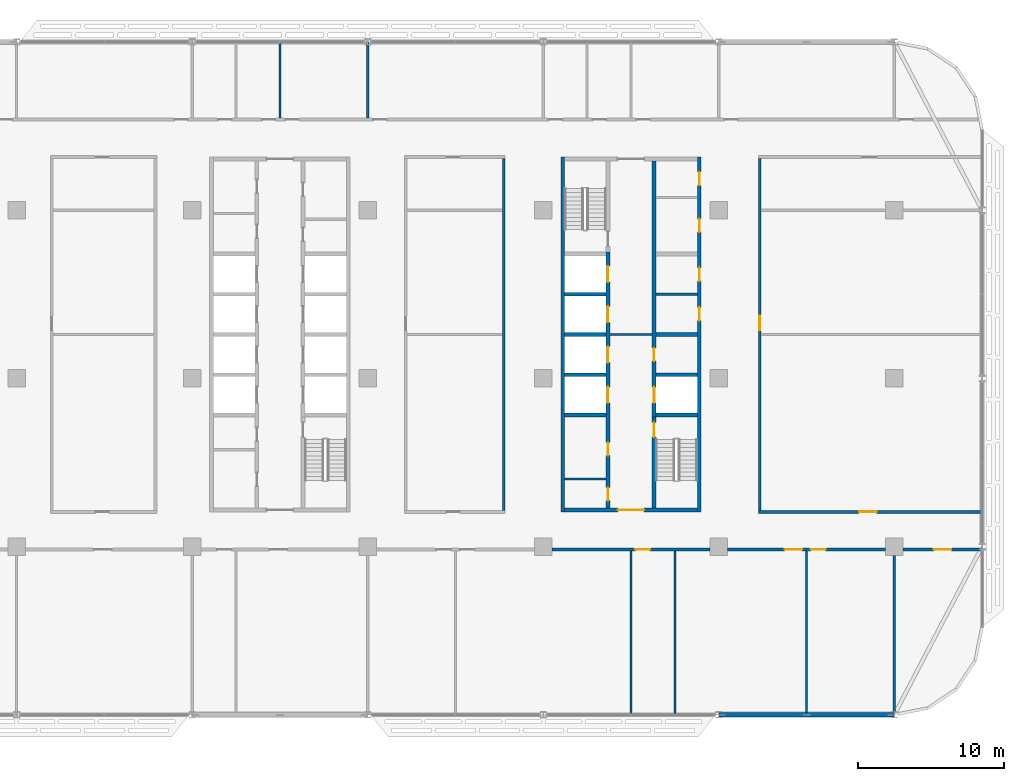
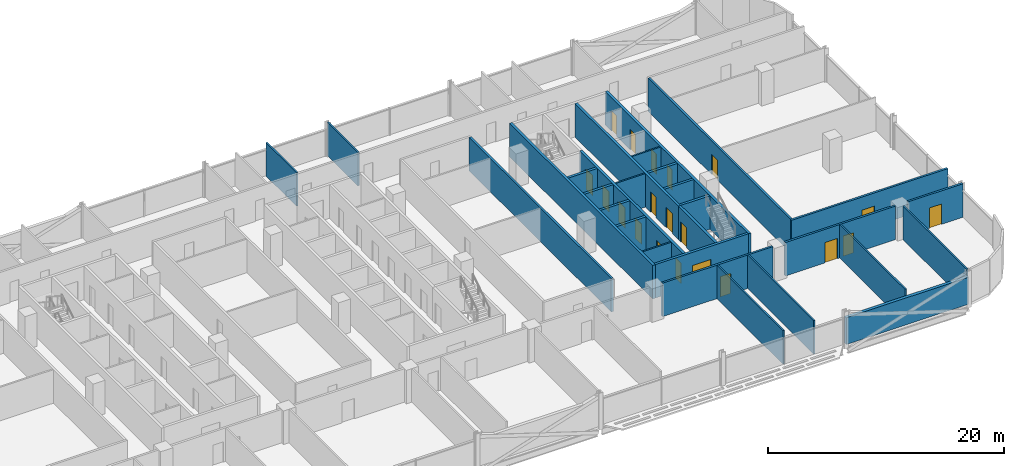
# One storey, part 15 of 27: 29 walls, 20 doors, 20 openings.
"""IFC4 building model written with IfcOpenShell, lengths in metres."""

from ifc_helpers import new_model, si_unit, direction, frame, frame_2d, origin, place, context, subcontext, project, spatial, rectangle, extrude, material, layer, layer_set, type_object, element, fill, save


model = new_model("IFC4")

# Units and contexts
model_context = context("Model", 3, precision=1e-05, world=origin(), true_north=direction((0.0, 1.0)))
body_context = subcontext(model_context, "Body", "Model", "MODEL_VIEW")
ifc_project = project(units=[si_unit("LENGTHUNIT", "METRE"), si_unit("AREAUNIT", "SQUARE_METRE"), si_unit("VOLUMEUNIT", "CUBIC_METRE"), si_unit("PLANEANGLEUNIT", "RADIAN"), si_unit("MASSUNIT", "GRAM", prefix="KILO")], contexts=[model_context])

# Site, building, storey
site_placement = place(None, origin())
site = spatial("IfcSite", under=ifc_project, at=site_placement, CompositionType="ELEMENT")
building_placement = place(site_placement, origin())
building = spatial("IfcBuilding", under=site, at=building_placement, Name="Mahtab Terrace Research Tower", CompositionType="ELEMENT")
storey_placement = place(building_placement, frame((0.0, 0.0, 170.60009765625)))
storey = spatial("IfcBuildingStorey", under=building, at=storey_placement, Name="L40", CompositionType="ELEMENT", Elevation=170.60009765625)

# Walls
ifc_material_1 = material(Name="Gypsum board partition")
ifc_layer_1 = layer(ifc_material_1, 0.14990234375)
ifc_layer_set_1 = layer_set([ifc_layer_1], Name="Core partition 150")
wall_type_1 = type_object("IfcWallType", Name="Core partition 150", PredefinedType="PARTITIONING", material=ifc_layer_set_1)
wall_1_placement = place(storey_placement, frame((22.550048828125, 3.0, 0.0), z_axis=(0.0, 0.0, 1.0), x_axis=(1.0, 0.0, 0.0)))
element("IfcWall", 1, at=wall_1_placement, inside=storey, type_object=wall_type_1, Name="Core wall C ffl", PredefinedType="PARTITIONING", context=body_context, shape_type="SweptSolid", body=[
    extrude(rectangle(XDim=2.89990234375, YDim=0.14990234375, at=frame_2d((1.449951171875, 0.0))), origin(), (0.0, 0.0, 1.0), 3.4599609375),
])
for number, where, z_axis, x_axis, name in (
    (2, (25.699951171875, 5.75, 0.0), (0.0, 0.0, 1.0), (1.0, 0.0, 0.0), "Core wall C pEL275"),
    (3, (19.449951171875, -6.875, 0.0), (0.0, 0.0, 1.0), (1.0, 0.0, 0.0), "Core wall C pWS-988"),
):
    element("IfcWall", number, at=place(storey_placement, frame(where, z_axis=z_axis, x_axis=x_axis)), inside=storey, type_object=wall_type_1, Name=name, PredefinedType="PARTITIONING", context=body_context, shape_type="SweptSolid", body=[
        extrude(rectangle(XDim=2.85009765625, YDim=0.14990234375, at=frame_2d((1.425048828125, 0.0))), origin(), (0.0, 0.0, 1.0), 3.4599609375),
    ])
ifc_material_2 = material(Name="Concrete C70/85", Category="concrete")
ifc_layer_2 = layer(ifc_material_2, 0.25)
ifc_layer_set_2 = layer_set([ifc_layer_2], Name="Core wall 250")
wall_type_2 = type_object("IfcWallType", Name="Core wall 250", PredefinedType="SOLIDWALL", material=ifc_layer_set_2)
wall_2_placement = place(storey_placement, frame((19.324951171875, 15.125, 0.0), z_axis=(0.0, 0.0, 1.0), x_axis=(0.0, -1.0, 0.0)))
element("IfcWall", 4, at=wall_2_placement, inside=storey, type_object=wall_type_2, Name="Core wall C outerW", PredefinedType="SOLIDWALL", context=body_context, shape_type="SweptSolid", body=[
    extrude(rectangle(XDim=24.25, YDim=0.25, at=frame_2d((12.125, 0.0))), origin(), (0.0, 0.0, 1.0), 3.4599609375),
])

# Wall, openings, doors
wall_3_placement = place(storey_placement, frame((28.675048828125, -9.125, 0.0), z_axis=(0.0, 0.0, 1.0), x_axis=(0.0, 1.0, 0.0)))
wall_3 = element("IfcWall", 5, at=wall_3_placement, inside=storey, type_object=wall_type_2, Name="Core wall C outerE", PredefinedType="SOLIDWALL", context=body_context, shape_type="SweptSolid", body=[
    extrude(rectangle(XDim=24.25, YDim=0.25, at=frame_2d((12.125, 0.0))), origin(), (0.0, 0.0, 1.0), 3.4599609375),
])
opening_1_placement = place(wall_3_placement, frame((13.074951171875, 0.0, 0.0)))
opening_1 = element("IfcOpeningElement", 6, at=opening_1_placement, cuts=wall_3, Name="Opening C-R2", PredefinedType="OPENING", context=body_context, shape_type="SweptSolid", body=[
    extrude(rectangle(XDim=0.89990234375, YDim=2.10009765625, at=frame_2d((0.449951171875, 1.050048828125))), frame((0.0, 0.135009765625, 0.0), z_axis=(0.0, -1.0, 0.0), x_axis=(1.0, 0.0, 0.0)), (0.0, 0.0, 1.0), 0.27001953125),
])
opening_2_placement = place(wall_3_placement, frame((15.77490234375, 0.0, 0.0)))
opening_2 = element("IfcOpeningElement", 7, at=opening_2_placement, cuts=wall_3, Name="Opening C-R3", PredefinedType="OPENING", context=body_context, shape_type="SweptSolid", body=[
    extrude(rectangle(XDim=0.89990234375, YDim=2.10009765625, at=frame_2d((0.449951171875, 1.050048828125))), frame((0.0, 0.135009765625, 0.0), z_axis=(0.0, -1.0, 0.0), x_axis=(1.0, 0.0, 0.0)), (0.0, 0.0, 1.0), 0.27001953125),
])
opening_3_placement = place(wall_3_placement, frame((19.125, 0.0, 0.0)))
opening_3 = element("IfcOpeningElement", 8, at=opening_3_placement, cuts=wall_3, Name="Opening C-R6", PredefinedType="OPENING", context=body_context, shape_type="SweptSolid", body=[
    extrude(rectangle(XDim=0.89990234375, YDim=2.10009765625, at=frame_2d((0.449951171875, 1.050048828125))), frame((0.0, 0.135009765625, 0.0), z_axis=(0.0, -1.0, 0.0), x_axis=(1.0, 0.0, 0.0)), (0.0, 0.0, 1.0), 0.27001953125),
])
opening_4_placement = place(wall_3_placement, frame((22.327392578125, 0.0, 0.0)))
opening_4 = element("IfcOpeningElement", 9, at=opening_4_placement, cuts=wall_3, Name="Opening C-R7", PredefinedType="OPENING", context=body_context, shape_type="SweptSolid", body=[
    extrude(rectangle(XDim=0.89990234375, YDim=2.10009765625, at=frame_2d((0.449951171875, 1.050048828125))), frame((0.0, 0.135009765625, 0.0), z_axis=(0.0, -1.0, 0.0), x_axis=(1.0, 0.0, 0.0)), (0.0, 0.0, 1.0), 0.27001953125),
])
ifc_material_3 = material(Name="Steel fire door", Category="steel")
door_type_1 = type_object("IfcDoorType", Name="Room door 900x2100 1 HR", OperationType="NOTDEFINED", PredefinedType="DOOR", material=ifc_material_3)
door_1_placement = place(opening_1_placement, origin())
door_1 = element("IfcDoor", 10, at=door_1_placement, inside=storey, type_object=door_type_1, Name="Document store door", OperationType="SINGLE_SWING_RIGHT", OverallHeight=2.10009765625, OverallWidth=0.89990234375, PredefinedType="DOOR", context=body_context, shape_type="SweptSolid", body=[
    extrude(rectangle(XDim=0.89990234375, YDim=2.10009765625, at=frame_2d((0.449951171875, 1.050048828125))), frame((0.0, 0.02490234375, 0.0), z_axis=(0.0, -1.0, 0.0), x_axis=(1.0, 0.0, 0.0)), (0.0, 0.0, 1.0), 0.050048828125),
])
fill(opening_1, door_1)
door_2_placement = place(opening_2_placement, origin())
door_2 = element("IfcDoor", 11, at=door_2_placement, inside=storey, type_object=door_type_1, Name="IT equipment room door", OperationType="SINGLE_SWING_LEFT", OverallHeight=2.10009765625, OverallWidth=0.89990234375, PredefinedType="DOOR", context=body_context, shape_type="SweptSolid", body=[
    extrude(rectangle(XDim=0.89990234375, YDim=2.10009765625, at=frame_2d((0.449951171875, 1.050048828125))), frame((0.0, 0.02490234375, 0.0), z_axis=(0.0, -1.0, 0.0), x_axis=(1.0, 0.0, 0.0)), (0.0, 0.0, 1.0), 0.050048828125),
])
fill(opening_2, door_2)
door_3_placement = place(opening_3_placement, origin())
door_3 = element("IfcDoor", 12, at=door_3_placement, inside=storey, type_object=door_type_1, Name="Pantry door", OperationType="SINGLE_SWING_RIGHT", OverallHeight=2.10009765625, OverallWidth=0.89990234375, PredefinedType="DOOR", context=body_context, shape_type="SweptSolid", body=[
    extrude(rectangle(XDim=0.89990234375, YDim=2.10009765625, at=frame_2d((0.449951171875, 1.050048828125))), frame((0.0, 0.02490234375, 0.0), z_axis=(0.0, -1.0, 0.0), x_axis=(1.0, 0.0, 0.0)), (0.0, 0.0, 1.0), 0.050048828125),
])
fill(opening_3, door_3)
door_4_placement = place(opening_4_placement, origin())
door_4 = element("IfcDoor", 13, at=door_4_placement, inside=storey, type_object=door_type_1, Name="Linen store door", OperationType="SINGLE_SWING_LEFT", OverallHeight=2.10009765625, OverallWidth=0.89990234375, PredefinedType="DOOR", context=body_context, shape_type="SweptSolid", body=[
    extrude(rectangle(XDim=0.89990234375, YDim=2.10009765625, at=frame_2d((0.449951171875, 1.050048828125))), frame((0.0, 0.02490234375, 0.0), z_axis=(0.0, -1.0, 0.0), x_axis=(1.0, 0.0, 0.0)), (0.0, 0.0, 1.0), 0.050048828125),
])
fill(opening_4, door_4)

# Wall, opening, door
wall_4_placement = place(storey_placement, frame((28.550048828125, -9.0, 0.0), z_axis=(0.0, 0.0, 1.0), x_axis=(-1.0, 0.0, 0.0)))
wall_4 = element("IfcWall", 14, at=wall_4_placement, inside=storey, type_object=wall_type_2, Name="Core wall C endS", PredefinedType="SOLIDWALL", context=body_context, shape_type="SweptSolid", body=[
    extrude(rectangle(XDim=9.10009765625, YDim=0.25, at=frame_2d((4.550048828125, 0.0))), origin(), (0.0, 0.0, 1.0), 3.4599609375),
])
opening_5_placement = place(wall_4_placement, frame((3.64990234375, 0.0, 0.0)))
opening_5 = element("IfcOpeningElement", 15, at=opening_5_placement, cuts=wall_4, Name="Opening C-S1", PredefinedType="OPENING", context=body_context, shape_type="SweptSolid", body=[
    extrude(rectangle(XDim=1.800048828125, YDim=2.10009765625, at=frame_2d((0.89990234375, 1.050048828125))), frame((0.0, 0.135009765625, 0.0), z_axis=(0.0, -1.0, 0.0), x_axis=(1.0, 0.0, 0.0)), (0.0, 0.0, 1.0), 0.27001953125),
])
door_type_2 = type_object("IfcDoorType", Name="Lobby double door 1800x2100 1 HR", OperationType="DOUBLE_DOOR_SINGLE_SWING", PredefinedType="DOOR", material=ifc_material_3)
door_5_placement = place(opening_5_placement, origin())
door_5 = element("IfcDoor", 16, at=door_5_placement, inside=storey, type_object=door_type_2, Name="Core entrance door C S", OperationType="DOUBLE_DOOR_SINGLE_SWING", OverallHeight=2.10009765625, OverallWidth=1.800048828125, PredefinedType="DOOR", context=body_context, shape_type="SweptSolid", body=[
    extrude(rectangle(XDim=1.800048828125, YDim=2.10009765625, at=frame_2d((0.89990234375, 1.050048828125))), frame((0.0, 0.02490234375, 0.0), z_axis=(0.0, -1.0, 0.0), x_axis=(1.0, 0.0, 0.0)), (0.0, 0.0, 1.0), 0.050048828125),
])
fill(opening_5, door_5)

# Wall, openings, doors
wall_5_placement = place(storey_placement, frame((22.425048828125, -8.875, 0.0), z_axis=(0.0, 0.0, 1.0), x_axis=(0.0, 1.0, 0.0)))
wall_5 = element("IfcWall", 17, at=wall_5_placement, inside=storey, type_object=wall_type_2, Name="Core wall C innerWSL", PredefinedType="SOLIDWALL", context=body_context, shape_type="SweptSolid", body=[
    extrude(rectangle(XDim=17.5, YDim=0.25, at=frame_2d((8.75, 0.0))), origin(), (0.0, 0.0, 1.0), 3.4599609375),
])
opening_6_placement = place(wall_5_placement, frame((7.199951171875, 0.0, 0.0)))
opening_6 = element("IfcOpeningElement", 18, at=opening_6_placement, cuts=wall_5, Name="Opening LD17-L40", PredefinedType="OPENING", context=body_context, shape_type="SweptSolid", body=[
    extrude(rectangle(XDim=1.10009765625, YDim=2.10009765625, at=frame_2d((0.550048828125, 1.050048828125))), frame((0.0, 0.135009765625, 0.0), z_axis=(0.0, -1.0, 0.0), x_axis=(1.0, 0.0, 0.0)), (0.0, 0.0, 1.0), 0.27001953125),
])
opening_7_placement = place(wall_5_placement, frame((9.949951171875, 0.0, 0.0)))
opening_7 = element("IfcOpeningElement", 19, at=opening_7_placement, cuts=wall_5, Name="Opening LD18-L40", PredefinedType="OPENING", context=body_context, shape_type="SweptSolid", body=[
    extrude(rectangle(XDim=1.10009765625, YDim=2.10009765625, at=frame_2d((0.550048828125, 1.050048828125))), frame((0.0, 0.135009765625, 0.0), z_axis=(0.0, -1.0, 0.0), x_axis=(1.0, 0.0, 0.0)), (0.0, 0.0, 1.0), 0.27001953125),
])
opening_8_placement = place(wall_5_placement, frame((12.699951171875, 0.0, 0.0)))
opening_8 = element("IfcOpeningElement", 20, at=opening_8_placement, cuts=wall_5, Name="Opening LD19-L40", PredefinedType="OPENING", context=body_context, shape_type="SweptSolid", body=[
    extrude(rectangle(XDim=1.10009765625, YDim=2.10009765625, at=frame_2d((0.550048828125, 1.050048828125))), frame((0.0, 0.135009765625, 0.0), z_axis=(0.0, -1.0, 0.0), x_axis=(1.0, 0.0, 0.0)), (0.0, 0.0, 1.0), 0.27001953125),
])
opening_9_placement = place(wall_5_placement, frame((15.449951171875, 0.0, 0.0)))
opening_9 = element("IfcOpeningElement", 21, at=opening_9_placement, cuts=wall_5, Name="Opening LD20-L40", PredefinedType="OPENING", context=body_context, shape_type="SweptSolid", body=[
    extrude(rectangle(XDim=1.10009765625, YDim=2.10009765625, at=frame_2d((0.550048828125, 1.050048828125))), frame((0.0, 0.135009765625, 0.0), z_axis=(0.0, -1.0, 0.0), x_axis=(1.0, 0.0, 0.0)), (0.0, 0.0, 1.0), 0.27001953125),
])
opening_10_placement = place(wall_5_placement, frame((0.512451171875, 0.0, 0.0)))
opening_10 = element("IfcOpeningElement", 22, at=opening_10_placement, cuts=wall_5, Name="Opening C-R4", PredefinedType="OPENING", context=body_context, shape_type="SweptSolid", body=[
    extrude(rectangle(XDim=0.89990234375, YDim=2.10009765625, at=frame_2d((0.449951171875, 1.050048828125))), frame((0.0, 0.135009765625, 0.0), z_axis=(0.0, -1.0, 0.0), x_axis=(1.0, 0.0, 0.0)), (0.0, 0.0, 1.0), 0.27001953125),
])
opening_11_placement = place(wall_5_placement, frame((3.58740234375, 0.0, 0.0)))
opening_11 = element("IfcOpeningElement", 23, at=opening_11_placement, cuts=wall_5, Name="Opening C-R5", PredefinedType="OPENING", context=body_context, shape_type="SweptSolid", body=[
    extrude(rectangle(XDim=0.89990234375, YDim=2.10009765625, at=frame_2d((0.449951171875, 1.050048828125))), frame((0.0, 0.135009765625, 0.0), z_axis=(0.0, -1.0, 0.0), x_axis=(1.0, 0.0, 0.0)), (0.0, 0.0, 1.0), 0.27001953125),
])
ifc_material_4 = material(Name="Stainless steel AISI 304", Category="steel")
door_type_3 = type_object("IfcDoorType", Name="Landing door 1100x2100", OperationType="DOUBLE_DOOR_SLIDING", PredefinedType="DOOR", material=ifc_material_4)
door_6_placement = place(opening_6_placement, origin())
door_6 = element("IfcDoor", 24, at=door_6_placement, inside=storey, type_object=door_type_3, Name="Landing door SV1 L40", OperationType="DOUBLE_DOOR_SLIDING", OverallHeight=2.10009765625, OverallWidth=1.10009765625, PredefinedType="DOOR", context=body_context, shape_type="SweptSolid", body=[
    extrude(rectangle(XDim=1.10009765625, YDim=2.10009765625, at=frame_2d((0.550048828125, 1.050048828125))), frame((0.0, 0.02490234375, 0.0), z_axis=(0.0, -1.0, 0.0), x_axis=(1.0, 0.0, 0.0)), (0.0, 0.0, 1.0), 0.050048828125),
])
fill(opening_6, door_6)
door_7_placement = place(opening_7_placement, origin())
door_7 = element("IfcDoor", 25, at=door_7_placement, inside=storey, type_object=door_type_3, Name="Landing door SV2 L40", OperationType="DOUBLE_DOOR_SLIDING", OverallHeight=2.10009765625, OverallWidth=1.10009765625, PredefinedType="DOOR", context=body_context, shape_type="SweptSolid", body=[
    extrude(rectangle(XDim=1.10009765625, YDim=2.10009765625, at=frame_2d((0.550048828125, 1.050048828125))), frame((0.0, 0.02490234375, 0.0), z_axis=(0.0, -1.0, 0.0), x_axis=(1.0, 0.0, 0.0)), (0.0, 0.0, 1.0), 0.050048828125),
])
fill(opening_7, door_7)
door_8_placement = place(opening_8_placement, origin())
door_8 = element("IfcDoor", 26, at=door_8_placement, inside=storey, type_object=door_type_3, Name="Landing door FF1 L40", OperationType="DOUBLE_DOOR_SLIDING", OverallHeight=2.10009765625, OverallWidth=1.10009765625, PredefinedType="DOOR", context=body_context, shape_type="SweptSolid", body=[
    extrude(rectangle(XDim=1.10009765625, YDim=2.10009765625, at=frame_2d((0.550048828125, 1.050048828125))), frame((0.0, 0.02490234375, 0.0), z_axis=(0.0, -1.0, 0.0), x_axis=(1.0, 0.0, 0.0)), (0.0, 0.0, 1.0), 0.050048828125),
])
fill(opening_8, door_8)
door_9_placement = place(opening_9_placement, origin())
door_9 = element("IfcDoor", 27, at=door_9_placement, inside=storey, type_object=door_type_3, Name="Landing door FF2 L40", OperationType="DOUBLE_DOOR_SLIDING", OverallHeight=2.10009765625, OverallWidth=1.10009765625, PredefinedType="DOOR", context=body_context, shape_type="SweptSolid", body=[
    extrude(rectangle(XDim=1.10009765625, YDim=2.10009765625, at=frame_2d((0.550048828125, 1.050048828125))), frame((0.0, 0.02490234375, 0.0), z_axis=(0.0, -1.0, 0.0), x_axis=(1.0, 0.0, 0.0)), (0.0, 0.0, 1.0), 0.050048828125),
])
fill(opening_9, door_9)
door_10_placement = place(opening_10_placement, origin())
door_10 = element("IfcDoor", 28, at=door_10_placement, inside=storey, type_object=door_type_1, Name="Accessible WC door", OperationType="SINGLE_SWING_RIGHT", OverallHeight=2.10009765625, OverallWidth=0.89990234375, PredefinedType="DOOR", context=body_context, shape_type="SweptSolid", body=[
    extrude(rectangle(XDim=0.89990234375, YDim=2.10009765625, at=frame_2d((0.449951171875, 1.050048828125))), frame((0.0, 0.02490234375, 0.0), z_axis=(0.0, -1.0, 0.0), x_axis=(1.0, 0.0, 0.0)), (0.0, 0.0, 1.0), 0.050048828125),
])
fill(opening_10, door_10)
door_11_placement = place(opening_11_placement, origin())
door_11 = element("IfcDoor", 29, at=door_11_placement, inside=storey, type_object=door_type_1, Name="WC block door", OperationType="SINGLE_SWING_LEFT", OverallHeight=2.10009765625, OverallWidth=0.89990234375, PredefinedType="DOOR", context=body_context, shape_type="SweptSolid", body=[
    extrude(rectangle(XDim=0.89990234375, YDim=2.10009765625, at=frame_2d((0.449951171875, 1.050048828125))), frame((0.0, 0.02490234375, 0.0), z_axis=(0.0, -1.0, 0.0), x_axis=(1.0, 0.0, 0.0)), (0.0, 0.0, 1.0), 0.050048828125),
])
fill(opening_11, door_11)

# Wall, opening, door
wall_6_placement = place(storey_placement, frame((25.574951171875, -8.875, 0.0), z_axis=(0.0, 0.0, 1.0), x_axis=(0.0, 1.0, 0.0)))
wall_6 = element("IfcWall", 30, at=wall_6_placement, inside=storey, type_object=wall_type_2, Name="Core wall C innerES", PredefinedType="SOLIDWALL", context=body_context, shape_type="SweptSolid", body=[
    extrude(rectangle(XDim=6.25, YDim=0.25, at=frame_2d((3.125, 0.0))), origin(), (0.0, 0.0, 1.0), 3.4599609375),
])
opening_12_placement = place(wall_6_placement, frame((4.85009765625, 0.0, 0.0)))
opening_12 = element("IfcOpeningElement", 31, at=opening_12_placement, cuts=wall_6, Name="Opening C-ST4", PredefinedType="OPENING", context=body_context, shape_type="SweptSolid", body=[
    extrude(rectangle(XDim=1.0, YDim=2.10009765625, at=frame_2d((0.5, 1.050048828125))), frame((0.0, 0.135009765625, 0.0), z_axis=(0.0, -1.0, 0.0), x_axis=(1.0, 0.0, 0.0)), (0.0, 0.0, 1.0), 0.27001953125),
])
door_type_4 = type_object("IfcDoorType", Name="Stair door 1000x2100 1.5 HR", OperationType="NOTDEFINED", PredefinedType="DOOR", material=ifc_material_3)
door_12_placement = place(opening_12_placement, origin())
door_12 = element("IfcDoor", 32, at=door_12_placement, inside=storey, type_object=door_type_4, Name="Stair door ST4 L40", OperationType="SINGLE_SWING_LEFT", OverallHeight=2.10009765625, OverallWidth=1.0, PredefinedType="DOOR", context=body_context, shape_type="SweptSolid", body=[
    extrude(rectangle(XDim=1.0, YDim=2.10009765625, at=frame_2d((0.5, 1.050048828125))), frame((0.0, 0.02490234375, 0.0), z_axis=(0.0, -1.0, 0.0), x_axis=(1.0, 0.0, 0.0)), (0.0, 0.0, 1.0), 0.050048828125),
])
fill(opening_12, door_12)

# Wall, openings, doors
wall_7_placement = place(storey_placement, frame((25.574951171875, 14.875, 0.0), z_axis=(0.0, 0.0, 1.0), x_axis=(0.0, -1.0, 0.0)))
wall_7 = element("IfcWall", 33, at=wall_7_placement, inside=storey, type_object=wall_type_2, Name="Core wall C innerELN", PredefinedType="SOLIDWALL", context=body_context, shape_type="SweptSolid", body=[
    extrude(rectangle(XDim=17.5, YDim=0.25, at=frame_2d((8.75, 0.0))), origin(), (0.0, 0.0, 1.0), 3.4599609375),
])
opening_13_placement = place(wall_7_placement, frame((15.449951171875, 0.0, 0.0)))
opening_13 = element("IfcOpeningElement", 34, at=opening_13_placement, cuts=wall_7, Name="Opening LD21-L40", PredefinedType="OPENING", context=body_context, shape_type="SweptSolid", body=[
    extrude(rectangle(XDim=1.10009765625, YDim=2.10009765625, at=frame_2d((0.550048828125, 1.050048828125))), frame((0.0, 0.135009765625, 0.0), z_axis=(0.0, -1.0, 0.0), x_axis=(1.0, 0.0, 0.0)), (0.0, 0.0, 1.0), 0.27001953125),
])
opening_14_placement = place(wall_7_placement, frame((12.800048828125, 0.0, 0.0)))
opening_14 = element("IfcOpeningElement", 35, at=opening_14_placement, cuts=wall_7, Name="Opening C-R1", PredefinedType="OPENING", context=body_context, shape_type="SweptSolid", body=[
    extrude(rectangle(XDim=0.89990234375, YDim=2.10009765625, at=frame_2d((0.449951171875, 1.050048828125))), frame((0.0, 0.135009765625, 0.0), z_axis=(0.0, -1.0, 0.0), x_axis=(1.0, 0.0, 0.0)), (0.0, 0.0, 1.0), 0.27001953125),
])
door_13_placement = place(opening_13_placement, origin())
door_13 = element("IfcDoor", 36, at=door_13_placement, inside=storey, type_object=door_type_3, Name="Landing door SV3 L40", OperationType="DOUBLE_DOOR_SLIDING", OverallHeight=2.10009765625, OverallWidth=1.10009765625, PredefinedType="DOOR", context=body_context, shape_type="SweptSolid", body=[
    extrude(rectangle(XDim=1.10009765625, YDim=2.10009765625, at=frame_2d((0.550048828125, 1.050048828125))), frame((0.0, 0.02490234375, 0.0), z_axis=(0.0, -1.0, 0.0), x_axis=(1.0, 0.0, 0.0)), (0.0, 0.0, 1.0), 0.050048828125),
])
fill(opening_13, door_13)
door_14_placement = place(opening_14_placement, origin())
door_14 = element("IfcDoor", 37, at=door_14_placement, inside=storey, type_object=door_type_1, Name="Plant room door", OperationType="SINGLE_SWING_LEFT", OverallHeight=2.10009765625, OverallWidth=0.89990234375, PredefinedType="DOOR", context=body_context, shape_type="SweptSolid", body=[
    extrude(rectangle(XDim=0.89990234375, YDim=2.10009765625, at=frame_2d((0.449951171875, 1.050048828125))), frame((0.0, 0.02490234375, 0.0), z_axis=(0.0, -1.0, 0.0), x_axis=(1.0, 0.0, 0.0)), (0.0, 0.0, 1.0), 0.050048828125),
])
fill(opening_14, door_14)

# Walls
for number, where, z_axis, x_axis, name in (
    (38, (19.449951171875, -2.5, 0.0), (0.0, 0.0, 1.0), (1.0, 0.0, 0.0), "Core wall C divW0"),
    (39, (19.449951171875, 0.25, 0.0), (0.0, 0.0, 1.0), (1.0, 0.0, 0.0), "Core wall C divW1"),
    (40, (19.449951171875, 3.0, 0.0), (0.0, 0.0, 1.0), (1.0, 0.0, 0.0), "Core wall C divW2"),
    (41, (19.449951171875, 5.75, 0.0), (0.0, 0.0, 1.0), (1.0, 0.0, 0.0), "Core wall C divW3"),
    (42, (25.699951171875, -2.5, 0.0), (0.0, 0.0, 1.0), (1.0, 0.0, 0.0), "Core wall C divE0"),
    (43, (25.699951171875, 0.25, 0.0), (0.0, 0.0, 1.0), (1.0, 0.0, 0.0), "Core wall C divE1"),
    (44, (25.699951171875, 3.0, 0.0), (0.0, 0.0, 1.0), (1.0, 0.0, 0.0), "Core wall C divE2"),
):
    element("IfcWall", number, at=place(storey_placement, frame(where, z_axis=z_axis, x_axis=x_axis)), inside=storey, type_object=wall_type_2, Name=name, PredefinedType="SOLIDWALL", context=body_context, shape_type="SweptSolid", body=[
        extrude(rectangle(XDim=2.85009765625, YDim=0.25, at=frame_2d((1.425048828125, 0.0))), origin(), (0.0, 0.0, 1.0), 3.4599609375),
    ])
ifc_material_5 = material(Name="Black aluminium cladding panel", Category="aluminium")
ifc_layer_3 = layer(ifc_material_5, 0.300048828125)
ifc_layer_set_3 = layer_set([ifc_layer_3], Name="Opaque facade wall 300")
wall_type_3 = type_object("IfcWallType", Name="Opaque facade wall 300", PredefinedType="NOTDEFINED", material=ifc_layer_set_3)
wall_8_placement = place(storey_placement, frame((30.014892578125, -23.0, 0.0), z_axis=(0.0, 0.0, 1.0), x_axis=(1.0, 0.0, 0.0)))
element("IfcWall", 45, at=wall_8_placement, inside=storey, type_object=wall_type_3, Name="Opaque facade wall L40 S29", PredefinedType="NOTDEFINED", context=body_context, shape_type="SweptSolid", body=[
    extrude(rectangle(XDim=11.97021484375, YDim=0.300048828125, at=frame_2d((5.985107421875, 0.0))), origin(), (0.0, 0.0, 1.0), 2.78173828125),
])

# Wall, opening, door
ifc_material_6 = material(Name="Gypsum board corridor wall on steel studs", Category="steel")
ifc_layer_4 = layer(ifc_material_6, 0.199951171875)
ifc_layer_set_4 = layer_set([ifc_layer_4], Name="WALL CORRIDOR 200")
wall_type_4 = type_object("IfcWallType", Name="WALL CORRIDOR 200", PredefinedType="PARTITIONING", material=ifc_layer_set_4)
wall_9_placement = place(storey_placement, frame((18.60009765625, -11.699951171875, 0.0), z_axis=(0.0, 0.0, 1.0), x_axis=(1.0, 0.0, 0.0)))
wall_9 = element("IfcWall", 46, at=wall_9_placement, inside=storey, type_object=wall_type_4, Name="L40-W007", PredefinedType="PARTITIONING", context=body_context, shape_type="SweptSolid", body=[
    extrude(rectangle(XDim=10.7998046875, YDim=0.199951171875, at=frame_2d((5.39990234375, 0.0))), origin(), (0.0, 0.0, 1.0), 3.4599609375),
])
opening_15_placement = place(wall_9_placement, frame((5.699951171875, 0.0, 0.0)))
opening_15 = element("IfcOpeningElement", 47, at=opening_15_placement, cuts=wall_9, Name="Opening L40-110", PredefinedType="OPENING", context=body_context, shape_type="SweptSolid", body=[
    extrude(rectangle(XDim=1.0, YDim=2.10009765625, at=frame_2d((0.5, 1.050048828125))), frame((0.0, 0.10986328125, 0.0), z_axis=(0.0, -1.0, 0.0), x_axis=(1.0, 0.0, 0.0)), (0.0, 0.0, 1.0), 0.219970703125),
])
ifc_material_7 = material(Name="Timber door leaf in steel frame", Category="steel")
door_type_5 = type_object("IfcDoorType", Name="DOOR 1000X2100 FD30S", OperationType="SINGLE_SWING_LEFT", PredefinedType="DOOR", material=ifc_material_7)
door_15_placement = place(opening_15_placement, origin())
door_15 = element("IfcDoor", 48, at=door_15_placement, inside=storey, type_object=door_type_5, Name="Door L40-110", OperationType="SINGLE_SWING_LEFT", OverallHeight=2.10009765625, OverallWidth=1.0, PredefinedType="DOOR", context=body_context, shape_type="SweptSolid", body=[
    extrude(rectangle(XDim=1.0, YDim=2.10009765625, at=frame_2d((0.5, 1.050048828125))), frame((0.0, 0.02490234375, 0.0), z_axis=(0.0, -1.0, 0.0), x_axis=(1.0, 0.0, 0.0)), (0.0, 0.0, 1.0), 0.050048828125),
])
fill(opening_15, door_15)

# Wall, openings, doors
wall_10_placement = place(storey_placement, frame((30.60009765625, -11.699951171875, 0.0), z_axis=(0.0, 0.0, 1.0), x_axis=(1.0, 0.0, 0.0)))
wall_10 = element("IfcWall", 49, at=wall_10_placement, inside=storey, type_object=wall_type_4, Name="L40-W008", PredefinedType="PARTITIONING", context=body_context, shape_type="SweptSolid", body=[
    extrude(rectangle(XDim=10.7998046875, YDim=0.199951171875, at=frame_2d((5.39990234375, 0.0))), origin(), (0.0, 0.0, 1.0), 3.4599609375),
])
opening_16_placement = place(wall_10_placement, frame((3.89990234375, 0.0, 0.0)))
opening_16 = element("IfcOpeningElement", 50, at=opening_16_placement, cuts=wall_10, Name="Opening L40-111", PredefinedType="OPENING", context=body_context, shape_type="SweptSolid", body=[
    extrude(rectangle(XDim=1.199951171875, YDim=2.10009765625, at=frame_2d((0.60009765625, 1.050048828125))), frame((0.0, 0.10986328125, 0.0), z_axis=(0.0, -1.0, 0.0), x_axis=(1.0, 0.0, 0.0)), (0.0, 0.0, 1.0), 0.219970703125),
])
opening_17_placement = place(wall_10_placement, frame((5.699951171875, 0.0, 0.0)))
opening_17 = element("IfcOpeningElement", 51, at=opening_17_placement, cuts=wall_10, Name="Opening L40-112", PredefinedType="OPENING", context=body_context, shape_type="SweptSolid", body=[
    extrude(rectangle(XDim=1.0, YDim=2.10009765625, at=frame_2d((0.5, 1.050048828125))), frame((0.0, 0.10986328125, 0.0), z_axis=(0.0, -1.0, 0.0), x_axis=(1.0, 0.0, 0.0)), (0.0, 0.0, 1.0), 0.219970703125),
])
door_16_placement = place(opening_17_placement, origin())
door_16 = element("IfcDoor", 52, at=door_16_placement, inside=storey, type_object=door_type_5, Name="Door L40-112", OperationType="SINGLE_SWING_LEFT", OverallHeight=2.10009765625, OverallWidth=1.0, PredefinedType="DOOR", context=body_context, shape_type="SweptSolid", body=[
    extrude(rectangle(XDim=1.0, YDim=2.10009765625, at=frame_2d((0.5, 1.050048828125))), frame((0.0, 0.02490234375, 0.0), z_axis=(0.0, -1.0, 0.0), x_axis=(1.0, 0.0, 0.0)), (0.0, 0.0, 1.0), 0.050048828125),
])
fill(opening_17, door_16)
door_type_6 = type_object("IfcDoorType", Name="DOOR 1200X2100 FD30S", OperationType="SINGLE_SWING_LEFT", PredefinedType="DOOR", material=ifc_material_7)
door_17_placement = place(opening_16_placement, origin())
door_17 = element("IfcDoor", 53, at=door_17_placement, inside=storey, type_object=door_type_6, Name="Door L40-111", OperationType="SINGLE_SWING_RIGHT", OverallHeight=2.10009765625, OverallWidth=1.199951171875, PredefinedType="DOOR", context=body_context, shape_type="SweptSolid", body=[
    extrude(rectangle(XDim=1.199951171875, YDim=2.10009765625, at=frame_2d((0.60009765625, 1.050048828125))), frame((0.0, 0.02490234375, 0.0), z_axis=(0.0, -1.0, 0.0), x_axis=(1.0, 0.0, 0.0)), (0.0, 0.0, 1.0), 0.050048828125),
])
fill(opening_16, door_17)

# Wall, opening, door
wall_11_placement = place(storey_placement, frame((42.60009765625, -11.699951171875, 0.0), z_axis=(0.0, 0.0, 1.0), x_axis=(1.0, 0.0, 0.0)))
wall_11 = element("IfcWall", 54, at=wall_11_placement, inside=storey, type_object=wall_type_4, Name="L40-W009", PredefinedType="PARTITIONING", context=body_context, shape_type="SweptSolid", body=[
    extrude(rectangle(XDim=5.375, YDim=0.199951171875, at=frame_2d((2.6875, 0.0))), origin(), (0.0, 0.0, 1.0), 3.4599609375),
])
opening_18_placement = place(wall_11_placement, frame((2.10009765625, 0.0, 0.0)))
opening_18 = element("IfcOpeningElement", 55, at=opening_18_placement, cuts=wall_11, Name="Opening L40-113", PredefinedType="OPENING", context=body_context, shape_type="SweptSolid", body=[
    extrude(rectangle(XDim=1.199951171875, YDim=2.10009765625, at=frame_2d((0.60009765625, 1.050048828125))), frame((0.0, 0.10986328125, 0.0), z_axis=(0.0, -1.0, 0.0), x_axis=(1.0, 0.0, 0.0)), (0.0, 0.0, 1.0), 0.219970703125),
])
door_18_placement = place(opening_18_placement, origin())
door_18 = element("IfcDoor", 56, at=door_18_placement, inside=storey, type_object=door_type_6, Name="Door L40-113", OperationType="SINGLE_SWING_LEFT", OverallHeight=2.10009765625, OverallWidth=1.199951171875, PredefinedType="DOOR", context=body_context, shape_type="SweptSolid", body=[
    extrude(rectangle(XDim=1.199951171875, YDim=2.10009765625, at=frame_2d((0.60009765625, 1.050048828125))), frame((0.0, 0.02490234375, 0.0), z_axis=(0.0, -1.0, 0.0), x_axis=(1.0, 0.0, 0.0)), (0.0, 0.0, 1.0), 0.050048828125),
])
fill(opening_18, door_18)

wall_12_placement = place(storey_placement, frame((32.699951171875, -9.125, 0.0), z_axis=(0.0, 0.0, 1.0), x_axis=(1.0, 0.0, 0.0)))
wall_12 = element("IfcWall", 57, at=wall_12_placement, inside=storey, type_object=wall_type_4, Name="L40-W013", PredefinedType="PARTITIONING", context=body_context, shape_type="SweptSolid", body=[
    extrude(rectangle(XDim=15.275146484375, YDim=0.199951171875, at=frame_2d((7.6376953125, 0.0))), origin(), (0.0, 0.0, 1.0), 3.4599609375),
])
opening_19_placement = place(wall_12_placement, frame((6.89990234375, 0.0, 0.0)))
opening_19 = element("IfcOpeningElement", 58, at=opening_19_placement, cuts=wall_12, Name="Opening L40-117", PredefinedType="OPENING", context=body_context, shape_type="SweptSolid", body=[
    extrude(rectangle(XDim=1.199951171875, YDim=2.10009765625, at=frame_2d((0.60009765625, 1.050048828125))), frame((0.0, 0.10986328125, 0.0), z_axis=(0.0, -1.0, 0.0), x_axis=(1.0, 0.0, 0.0)), (0.0, 0.0, 1.0), 0.219970703125),
])
door_19_placement = place(opening_19_placement, origin())
door_19 = element("IfcDoor", 59, at=door_19_placement, inside=storey, type_object=door_type_6, Name="Door L40-117", OperationType="SINGLE_SWING_LEFT", OverallHeight=2.10009765625, OverallWidth=1.199951171875, PredefinedType="DOOR", context=body_context, shape_type="SweptSolid", body=[
    extrude(rectangle(XDim=1.199951171875, YDim=2.10009765625, at=frame_2d((0.60009765625, 1.050048828125))), frame((0.0, 0.02490234375, 0.0), z_axis=(0.0, -1.0, 0.0), x_axis=(1.0, 0.0, 0.0)), (0.0, 0.0, 1.0), 0.050048828125),
])
fill(opening_19, door_19)

# Wall
wall_13_placement = place(storey_placement, frame((15.300048828125, -9.02490234375, 0.0), z_axis=(0.0, 0.0, 1.0), x_axis=(0.0, 1.0, 0.0)))
element("IfcWall", 60, at=wall_13_placement, inside=storey, type_object=wall_type_4, Name="L40-W050", PredefinedType="PARTITIONING", context=body_context, shape_type="SweptSolid", body=[
    extrude(rectangle(XDim=24.0498046875, YDim=0.199951171875, at=frame_2d((12.02490234375, 0.0))), origin(), (0.0, 0.0, 1.0), 3.4599609375),
])

# Wall, opening, door
wall_14_placement = place(storey_placement, frame((32.800048828125, -9.02490234375, 0.0), z_axis=(0.0, 0.0, 1.0), x_axis=(0.0, 1.0, 0.0)))
wall_14 = element("IfcWall", 61, at=wall_14_placement, inside=storey, type_object=wall_type_4, Name="L40-W057", PredefinedType="PARTITIONING", context=body_context, shape_type="SweptSolid", body=[
    extrude(rectangle(XDim=24.0498046875, YDim=0.199951171875, at=frame_2d((12.02490234375, 0.0))), origin(), (0.0, 0.0, 1.0), 3.4599609375),
])
opening_20_placement = place(wall_14_placement, frame((12.300048828125, 0.0, 0.0)))
opening_20 = element("IfcOpeningElement", 62, at=opening_20_placement, cuts=wall_14, Name="Opening L40-121", PredefinedType="OPENING", context=body_context, shape_type="SweptSolid", body=[
    extrude(rectangle(XDim=1.0, YDim=2.10009765625, at=frame_2d((0.5, 1.050048828125))), frame((0.0, 0.10986328125, 0.0), z_axis=(0.0, -1.0, 0.0), x_axis=(1.0, 0.0, 0.0)), (0.0, 0.0, 1.0), 0.219970703125),
])
door_20_placement = place(opening_20_placement, origin())
door_20 = element("IfcDoor", 63, at=door_20_placement, inside=storey, type_object=door_type_5, Name="Door L40-121", OperationType="SINGLE_SWING_LEFT", OverallHeight=2.10009765625, OverallWidth=1.0, PredefinedType="DOOR", context=body_context, shape_type="SweptSolid", body=[
    extrude(rectangle(XDim=1.0, YDim=2.10009765625, at=frame_2d((0.5, 1.050048828125))), frame((0.0, 0.02490234375, 0.0), z_axis=(0.0, -1.0, 0.0), x_axis=(1.0, 0.0, 0.0)), (0.0, 0.0, 1.0), 0.050048828125),
])
fill(opening_20, door_20)

# Walls
ifc_material_8 = material(Name="Gypsum board partition on steel studs", Category="steel")
ifc_layer_5 = layer(ifc_material_8, 0.14990234375)
ifc_layer_set_5 = layer_set([ifc_layer_5], Name="WALL PARTITION 150")
wall_type_5 = type_object("IfcWallType", Name="WALL PARTITION 150", PredefinedType="PARTITIONING", material=ifc_layer_set_5)
for number, where, z_axis, x_axis, name in (
    (64, (0.0, 17.800048828125, 0.0), (0.0, 0.0, 1.0), (0.0, 1.0, 0.0), "L40-W045"),
    (65, (6.0, 17.800048828125, 0.0), (0.0, 0.0, 1.0), (0.0, 1.0, 0.0), "L40-W047"),
):
    element("IfcWall", number, at=place(storey_placement, frame(where, z_axis=z_axis, x_axis=x_axis)), inside=storey, type_object=wall_type_5, Name=name, PredefinedType="PARTITIONING", context=body_context, shape_type="SweptSolid", body=[
        extrude(rectangle(XDim=5.175048828125, YDim=0.14990234375, at=frame_2d((2.58740234375, 0.0))), origin(), (0.0, 0.0, 1.0), 3.4599609375),
    ])
for number, where, z_axis, x_axis, name in (
    (66, (24.0, -22.97509765625, 0.0), (0.0, 0.0, 1.0), (0.0, 1.0, 0.0), "L40-W053"),
    (67, (27.0, -22.97509765625, 0.0), (0.0, 0.0, 1.0), (0.0, 1.0, 0.0), "L40-W055"),
):
    element("IfcWall", number, at=place(storey_placement, frame(where, z_axis=z_axis, x_axis=x_axis)), inside=storey, type_object=wall_type_5, Name=name, PredefinedType="PARTITIONING", context=body_context, shape_type="SweptSolid", body=[
        extrude(rectangle(XDim=11.175048828125, YDim=0.14990234375, at=frame_2d((5.58740234375, 0.0))), origin(), (0.0, 0.0, 1.0), 3.4599609375),
    ])
wall_15_placement = place(storey_placement, frame((36.0, -22.85009765625, 0.0), z_axis=(0.0, 0.0, 1.0), x_axis=(0.0, 1.0, 0.0)))
element("IfcWall", 68, at=wall_15_placement, inside=storey, type_object=wall_type_5, Name="L40-W058", PredefinedType="PARTITIONING", context=body_context, shape_type="SweptSolid", body=[
    extrude(rectangle(XDim=11.050048828125, YDim=0.14990234375, at=frame_2d((5.52490234375, 0.0))), origin(), (0.0, 0.0, 1.0), 3.4599609375),
])
wall_16_placement = place(storey_placement, frame((42.0, -22.84716796875, 0.0), z_axis=(0.0, 0.0, 1.0), x_axis=(0.0, 1.0, 0.0)))
element("IfcWall", 69, at=wall_16_placement, inside=storey, type_object=wall_type_5, Name="L40-W059", PredefinedType="PARTITIONING", context=body_context, shape_type="SweptSolid", body=[
    extrude(rectangle(XDim=10.7470703125, YDim=0.14990234375, at=frame_2d((5.37353515625, 0.0))), origin(), (0.0, 0.0, 1.0), 3.4599609375),
])

save(model, "model.ifc")
